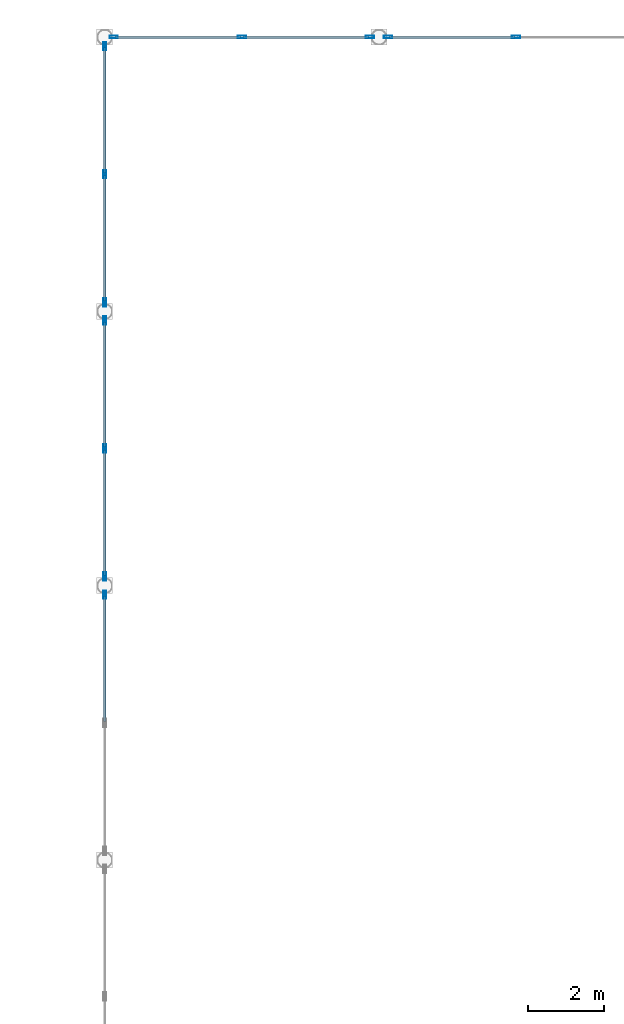
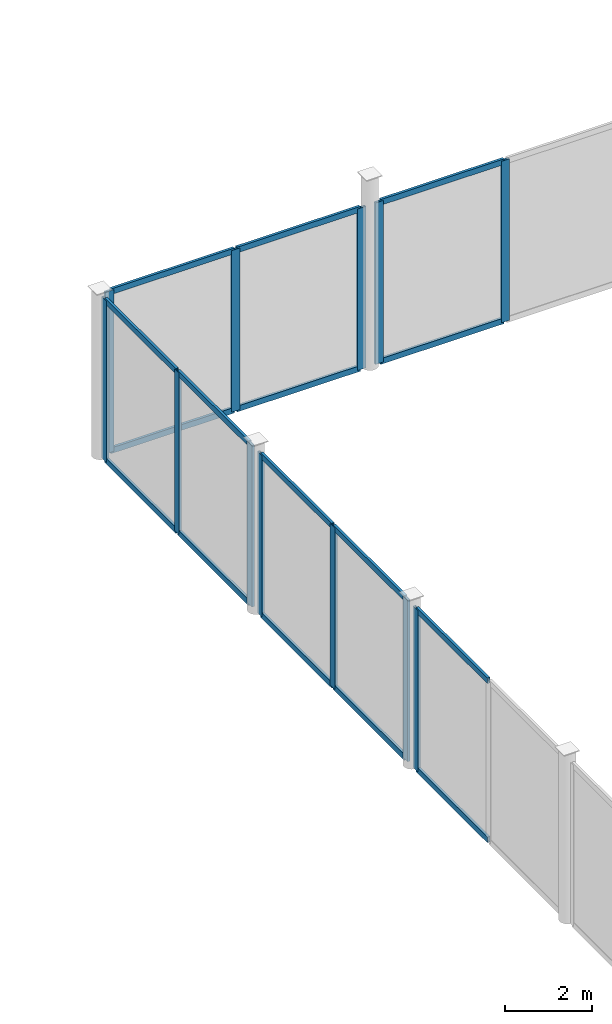
# One storey, part 61 of 120: 28 members, 5 elements without a shape of their own.
"""IFC4 building model written with IfcOpenShell, lengths in metres."""

from ifc_helpers import new_model, si_unit, direction, frame, origin, origin_2d, place, context, subcontext, project, spatial, hollow_rectangle, extrude, material, material_profile, profile_set, type_object, element, aggregate, save


model = new_model("IFC4")

# Units and contexts
model_context = context("Model", 3, precision=1e-05, world=origin(), true_north=direction((0.0, 1.0)))
body_context = subcontext(model_context, "Body", "Model", "MODEL_VIEW")
ifc_project = project(units=[si_unit("LENGTHUNIT", "METRE"), si_unit("AREAUNIT", "SQUARE_METRE"), si_unit("VOLUMEUNIT", "CUBIC_METRE"), si_unit("PLANEANGLEUNIT", "RADIAN"), si_unit("MASSUNIT", "GRAM", prefix="KILO")], contexts=[model_context])

# Site, building, storey
site_placement = place(None, origin())
site = spatial("IfcSite", under=ifc_project, at=site_placement, CompositionType="ELEMENT")
building_placement = place(site_placement, origin())
building = spatial("IfcBuilding", under=site, at=building_placement, Name="Vesperath Aquatics Centre", CompositionType="ELEMENT")
storey_placement = place(building_placement, frame((0.0, 0.0, 10.199951171875)))
storey = spatial("IfcBuildingStorey", under=building, at=storey_placement, Name="L02", CompositionType="ELEMENT", Elevation=10.199951171875)

# Curtain wall, members
ifc_material_1 = material(Name="Thermally broken anodised bronze aluminium curtain wall", Category="aluminium")
curtain_wall_type = type_object("IfcCurtainWallType", Name="CW-06", PredefinedType="NOTDEFINED", material=ifc_material_1)
curtain_wall_1_placement = place(storey_placement, origin())
curtain_wall_1 = element("IfcCurtainWall", 1, at=curtain_wall_1_placement, inside=storey, type_object=curtain_wall_type, Name="Facade Curtain Wall CW06 L02_N_16_16", PredefinedType="NOTDEFINED")
ifc_material_2 = material(Name="Thermally broken anodised aluminium", Category="aluminium")
ifc_material_profile_1 = material_profile(ifc_material_2, hollow_rectangle(XDim=0.070068359375, YDim=0.219970703125, WallThickness=0.0048828125, at=origin_2d()), Name="CWM 70x220x5")
ifc_profile_set_1 = profile_set([ifc_material_profile_1], Name="Thermally broken anodised aluminium")
member_type_1 = type_object("IfcMemberType", Name="MB-CWM2", PredefinedType="MULLION", material=ifc_profile_set_1)
member_1_placement = place(storey_placement, frame((115.438232421875, 115.199951171875, 0.0), z_axis=(0.0, 0.0, 1.0), x_axis=(0.0, 1.0, 0.0)))
member_1 = element("IfcMember", 2, at=member_1_placement, type_object=member_type_1, Name="CW06 mullion 1", PredefinedType="MULLION", context=body_context, shape_type="SweptSolid", body=[
    extrude(hollow_rectangle(XDim=0.070068359375, YDim=0.219970703125, WallThickness=0.0048828125, at=origin_2d()), origin(), (0.0, 0.0, 1.0), 4.56005859375),
])
member_2_placement = place(storey_placement, frame((118.800048828125, 115.199951171875, 0.0), z_axis=(0.0, 0.0, 1.0), x_axis=(0.0, 1.0, 0.0)))
member_2 = element("IfcMember", 3, at=member_2_placement, type_object=member_type_1, Name="CW06 mullion 2", PredefinedType="MULLION", context=body_context, shape_type="SweptSolid", body=[
    extrude(hollow_rectangle(XDim=0.070068359375, YDim=0.219970703125, WallThickness=0.0048828125, at=origin_2d()), origin(), (0.0, 0.0, 1.0), 4.56005859375),
])
member_3_placement = place(storey_placement, frame((122.161865234375, 115.199951171875, 0.0), z_axis=(0.0, 0.0, 1.0), x_axis=(0.0, 1.0, 0.0)))
member_3 = element("IfcMember", 4, at=member_3_placement, type_object=member_type_1, Name="CW06 mullion 3", PredefinedType="MULLION", context=body_context, shape_type="SweptSolid", body=[
    extrude(hollow_rectangle(XDim=0.070068359375, YDim=0.219970703125, WallThickness=0.0048828125, at=origin_2d()), origin(), (0.0, 0.0, 1.0), 4.56005859375),
])

curtain_wall_2_placement = place(storey_placement, origin())
curtain_wall_2 = element("IfcCurtainWall", 5, at=curtain_wall_2_placement, inside=storey, type_object=curtain_wall_type, Name="Facade Curtain Wall CW06 L02_N_17_16", PredefinedType="NOTDEFINED")
member_4_placement = place(storey_placement, frame((122.63818359375, 115.199951171875, 0.0), z_axis=(0.0, 0.0, 1.0), x_axis=(0.0, 1.0, 0.0)))
member_4 = element("IfcMember", 6, at=member_4_placement, type_object=member_type_1, Name="CW06 mullion 1", PredefinedType="MULLION", context=body_context, shape_type="SweptSolid", body=[
    extrude(hollow_rectangle(XDim=0.070068359375, YDim=0.219970703125, WallThickness=0.0048828125, at=origin_2d()), origin(), (0.0, 0.0, 1.0), 4.56005859375),
])
member_5_placement = place(storey_placement, frame((126.0, 115.199951171875, 0.0), z_axis=(0.0, 0.0, 1.0), x_axis=(0.0, 1.0, 0.0)))
member_5 = element("IfcMember", 7, at=member_5_placement, type_object=member_type_1, Name="CW06 mullion 2", PredefinedType="MULLION", context=body_context, shape_type="SweptSolid", body=[
    extrude(hollow_rectangle(XDim=0.070068359375, YDim=0.219970703125, WallThickness=0.0048828125, at=origin_2d()), origin(), (0.0, 0.0, 1.0), 4.56005859375),
])

# Curtain wall, member
curtain_wall_3_placement = place(storey_placement, origin())
curtain_wall_3 = element("IfcCurtainWall", 8, at=curtain_wall_3_placement, inside=storey, type_object=curtain_wall_type, Name="Facade Curtain Wall CW06 L02_W_16_13", PredefinedType="NOTDEFINED")
member_6_placement = place(storey_placement, frame((115.199951171875, 100.561767578125, 0.0), z_axis=(0.0, 0.0, 1.0), x_axis=(-1.0, 0.0, 0.0)))
member_6 = element("IfcMember", 9, at=member_6_placement, type_object=member_type_1, Name="CW06 mullion 3", PredefinedType="MULLION", context=body_context, shape_type="SweptSolid", body=[
    extrude(hollow_rectangle(XDim=0.070068359375, YDim=0.219970703125, WallThickness=0.0048828125, at=origin_2d()), origin(), (0.0, 0.0, 1.0), 4.56005859375),
])

# Curtain wall, members
curtain_wall_4_placement = place(storey_placement, origin())
curtain_wall_4 = element("IfcCurtainWall", 10, at=curtain_wall_4_placement, inside=storey, type_object=curtain_wall_type, Name="Facade Curtain Wall CW06 L02_W_16_14", PredefinedType="NOTDEFINED")
member_7_placement = place(storey_placement, frame((115.199951171875, 101.0380859375, 0.0), z_axis=(0.0, 0.0, 1.0), x_axis=(-1.0, 0.0, 0.0)))
member_7 = element("IfcMember", 11, at=member_7_placement, type_object=member_type_1, Name="CW06 mullion 1", PredefinedType="MULLION", context=body_context, shape_type="SweptSolid", body=[
    extrude(hollow_rectangle(XDim=0.070068359375, YDim=0.219970703125, WallThickness=0.0048828125, at=origin_2d()), origin(), (0.0, 0.0, 1.0), 4.56005859375),
])
member_8_placement = place(storey_placement, frame((115.199951171875, 104.39990234375, 0.0), z_axis=(0.0, 0.0, 1.0), x_axis=(-1.0, 0.0, 0.0)))
member_8 = element("IfcMember", 12, at=member_8_placement, type_object=member_type_1, Name="CW06 mullion 2", PredefinedType="MULLION", context=body_context, shape_type="SweptSolid", body=[
    extrude(hollow_rectangle(XDim=0.070068359375, YDim=0.219970703125, WallThickness=0.0048828125, at=origin_2d()), origin(), (0.0, 0.0, 1.0), 4.56005859375),
])
member_9_placement = place(storey_placement, frame((115.199951171875, 107.76171875, 0.0), z_axis=(0.0, 0.0, 1.0), x_axis=(-1.0, 0.0, 0.0)))
member_9 = element("IfcMember", 13, at=member_9_placement, type_object=member_type_1, Name="CW06 mullion 3", PredefinedType="MULLION", context=body_context, shape_type="SweptSolid", body=[
    extrude(hollow_rectangle(XDim=0.070068359375, YDim=0.219970703125, WallThickness=0.0048828125, at=origin_2d()), origin(), (0.0, 0.0, 1.0), 4.56005859375),
])

curtain_wall_5_placement = place(storey_placement, origin())
curtain_wall_5 = element("IfcCurtainWall", 14, at=curtain_wall_5_placement, inside=storey, type_object=curtain_wall_type, Name="Facade Curtain Wall CW06 L02_W_16_15", PredefinedType="NOTDEFINED")
member_10_placement = place(storey_placement, frame((115.199951171875, 108.23828125, 0.0), z_axis=(0.0, 0.0, 1.0), x_axis=(-1.0, 0.0, 0.0)))
member_10 = element("IfcMember", 15, at=member_10_placement, type_object=member_type_1, Name="CW06 mullion 1", PredefinedType="MULLION", context=body_context, shape_type="SweptSolid", body=[
    extrude(hollow_rectangle(XDim=0.070068359375, YDim=0.219970703125, WallThickness=0.0048828125, at=origin_2d()), origin(), (0.0, 0.0, 1.0), 4.56005859375),
])
member_11_placement = place(storey_placement, frame((115.199951171875, 111.60009765625, 0.0), z_axis=(0.0, 0.0, 1.0), x_axis=(-1.0, 0.0, 0.0)))
member_11 = element("IfcMember", 16, at=member_11_placement, type_object=member_type_1, Name="CW06 mullion 2", PredefinedType="MULLION", context=body_context, shape_type="SweptSolid", body=[
    extrude(hollow_rectangle(XDim=0.070068359375, YDim=0.219970703125, WallThickness=0.0048828125, at=origin_2d()), origin(), (0.0, 0.0, 1.0), 4.56005859375),
])
member_12_placement = place(storey_placement, frame((115.199951171875, 114.9619140625, 0.0), z_axis=(0.0, 0.0, 1.0), x_axis=(-1.0, 0.0, 0.0)))
member_12 = element("IfcMember", 17, at=member_12_placement, type_object=member_type_1, Name="CW06 mullion 3", PredefinedType="MULLION", context=body_context, shape_type="SweptSolid", body=[
    extrude(hollow_rectangle(XDim=0.070068359375, YDim=0.219970703125, WallThickness=0.0048828125, at=origin_2d()), origin(), (0.0, 0.0, 1.0), 4.56005859375),
])

# Member
ifc_material_profile_2 = material_profile(ifc_material_2, hollow_rectangle(XDim=0.070068359375, YDim=0.159912109375, WallThickness=0.0048828125, at=origin_2d()), Name="CWT 70x160x5")
ifc_profile_set_2 = profile_set([ifc_material_profile_2], Name="Thermally broken anodised aluminium")
member_type_2 = type_object("IfcMemberType", Name="MB-CWT2", PredefinedType="USERDEFINED", material=ifc_profile_set_2)
member_13_placement = place(storey_placement, frame((115.47314453125, 115.199951171875, 0.03515625), z_axis=(1.0, 0.0, 0.0), x_axis=(0.0, 1.0, 0.0)))
member_13 = element("IfcMember", 18, at=member_13_placement, type_object=member_type_2, Name="CW06 transom 1.1", ObjectType="TRANSOM", PredefinedType="USERDEFINED", context=body_context, shape_type="SweptSolid", body=[
    extrude(hollow_rectangle(XDim=0.070068359375, YDim=0.159912109375, WallThickness=0.0048828125, at=origin_2d()), origin(), (0.0, 0.0, 1.0), 3.291748046875),
])

member_14_placement = place(storey_placement, frame((115.47314453125, 115.199951171875, 4.525146484375), z_axis=(1.0, 0.0, 0.0), x_axis=(0.0, 1.0, 0.0)))
member_14 = element("IfcMember", 19, at=member_14_placement, type_object=member_type_2, Name="CW06 transom 1.2", ObjectType="TRANSOM", PredefinedType="USERDEFINED", context=body_context, shape_type="SweptSolid", body=[
    extrude(hollow_rectangle(XDim=0.070068359375, YDim=0.159912109375, WallThickness=0.0048828125, at=origin_2d()), origin(), (0.0, 0.0, 1.0), 3.291748046875),
])

member_15_placement = place(storey_placement, frame((118.8349609375, 115.199951171875, 0.03515625), z_axis=(1.0, 0.0, 0.0), x_axis=(0.0, 1.0, 0.0)))
member_15 = element("IfcMember", 20, at=member_15_placement, type_object=member_type_2, Name="CW06 transom 2.1", ObjectType="TRANSOM", PredefinedType="USERDEFINED", context=body_context, shape_type="SweptSolid", body=[
    extrude(hollow_rectangle(XDim=0.070068359375, YDim=0.159912109375, WallThickness=0.0048828125, at=origin_2d()), origin(), (0.0, 0.0, 1.0), 3.291748046875),
])

member_16_placement = place(storey_placement, frame((118.8349609375, 115.199951171875, 4.525146484375), z_axis=(1.0, 0.0, 0.0), x_axis=(0.0, 1.0, 0.0)))
member_16 = element("IfcMember", 21, at=member_16_placement, type_object=member_type_2, Name="CW06 transom 2.2", ObjectType="TRANSOM", PredefinedType="USERDEFINED", context=body_context, shape_type="SweptSolid", body=[
    extrude(hollow_rectangle(XDim=0.070068359375, YDim=0.159912109375, WallThickness=0.0048828125, at=origin_2d()), origin(), (0.0, 0.0, 1.0), 3.291748046875),
])

aggregate(curtain_wall_1, [member_1, member_2, member_3, member_13, member_14, member_15, member_16])

member_17_placement = place(storey_placement, frame((122.673095703125, 115.199951171875, 0.03515625), z_axis=(1.0, 0.0, 0.0), x_axis=(0.0, 1.0, 0.0)))
member_17 = element("IfcMember", 22, at=member_17_placement, type_object=member_type_2, Name="CW06 transom 1.1", ObjectType="TRANSOM", PredefinedType="USERDEFINED", context=body_context, shape_type="SweptSolid", body=[
    extrude(hollow_rectangle(XDim=0.070068359375, YDim=0.159912109375, WallThickness=0.0048828125, at=origin_2d()), origin(), (0.0, 0.0, 1.0), 3.2919921875),
])

member_18_placement = place(storey_placement, frame((122.673095703125, 115.199951171875, 4.525146484375), z_axis=(1.0, 0.0, 0.0), x_axis=(0.0, 1.0, 0.0)))
member_18 = element("IfcMember", 23, at=member_18_placement, type_object=member_type_2, Name="CW06 transom 1.2", ObjectType="TRANSOM", PredefinedType="USERDEFINED", context=body_context, shape_type="SweptSolid", body=[
    extrude(hollow_rectangle(XDim=0.070068359375, YDim=0.159912109375, WallThickness=0.0048828125, at=origin_2d()), origin(), (0.0, 0.0, 1.0), 3.2919921875),
])

aggregate(curtain_wall_2, [member_4, member_5, member_17, member_18])

member_19_placement = place(storey_placement, frame((115.199951171875, 97.235107421875, 0.03515625), z_axis=(0.0, 1.0, 0.0), x_axis=(-1.0, 0.0, 0.0)))
member_19 = element("IfcMember", 24, at=member_19_placement, type_object=member_type_2, Name="CW06 transom 2.1", ObjectType="TRANSOM", PredefinedType="USERDEFINED", context=body_context, shape_type="SweptSolid", body=[
    extrude(hollow_rectangle(XDim=0.070068359375, YDim=0.159912109375, WallThickness=0.0048828125, at=origin_2d()), origin(), (0.0, 0.0, 1.0), 3.291748046875),
])

member_20_placement = place(storey_placement, frame((115.199951171875, 97.235107421875, 4.525146484375), z_axis=(0.0, 1.0, 0.0), x_axis=(-1.0, 0.0, 0.0)))
member_20 = element("IfcMember", 25, at=member_20_placement, type_object=member_type_2, Name="CW06 transom 2.2", ObjectType="TRANSOM", PredefinedType="USERDEFINED", context=body_context, shape_type="SweptSolid", body=[
    extrude(hollow_rectangle(XDim=0.070068359375, YDim=0.159912109375, WallThickness=0.0048828125, at=origin_2d()), origin(), (0.0, 0.0, 1.0), 3.291748046875),
])

aggregate(curtain_wall_3, [member_6, member_19, member_20])

member_21_placement = place(storey_placement, frame((115.199951171875, 101.0732421875, 0.03515625), z_axis=(0.0, 1.0, 0.0), x_axis=(-1.0, 0.0, 0.0)))
member_21 = element("IfcMember", 26, at=member_21_placement, type_object=member_type_2, Name="CW06 transom 1.1", ObjectType="TRANSOM", PredefinedType="USERDEFINED", context=body_context, shape_type="SweptSolid", body=[
    extrude(hollow_rectangle(XDim=0.070068359375, YDim=0.159912109375, WallThickness=0.0048828125, at=origin_2d()), origin(), (0.0, 0.0, 1.0), 3.291748046875),
])

member_22_placement = place(storey_placement, frame((115.199951171875, 101.0732421875, 4.525146484375), z_axis=(0.0, 1.0, 0.0), x_axis=(-1.0, 0.0, 0.0)))
member_22 = element("IfcMember", 27, at=member_22_placement, type_object=member_type_2, Name="CW06 transom 1.2", ObjectType="TRANSOM", PredefinedType="USERDEFINED", context=body_context, shape_type="SweptSolid", body=[
    extrude(hollow_rectangle(XDim=0.070068359375, YDim=0.159912109375, WallThickness=0.0048828125, at=origin_2d()), origin(), (0.0, 0.0, 1.0), 3.291748046875),
])

member_23_placement = place(storey_placement, frame((115.199951171875, 104.43505859375, 0.03515625), z_axis=(0.0, 1.0, 0.0), x_axis=(-1.0, 0.0, 0.0)))
member_23 = element("IfcMember", 28, at=member_23_placement, type_object=member_type_2, Name="CW06 transom 2.1", ObjectType="TRANSOM", PredefinedType="USERDEFINED", context=body_context, shape_type="SweptSolid", body=[
    extrude(hollow_rectangle(XDim=0.070068359375, YDim=0.159912109375, WallThickness=0.0048828125, at=origin_2d()), origin(), (0.0, 0.0, 1.0), 3.291748046875),
])

member_24_placement = place(storey_placement, frame((115.199951171875, 104.43505859375, 4.525146484375), z_axis=(0.0, 1.0, 0.0), x_axis=(-1.0, 0.0, 0.0)))
member_24 = element("IfcMember", 29, at=member_24_placement, type_object=member_type_2, Name="CW06 transom 2.2", ObjectType="TRANSOM", PredefinedType="USERDEFINED", context=body_context, shape_type="SweptSolid", body=[
    extrude(hollow_rectangle(XDim=0.070068359375, YDim=0.159912109375, WallThickness=0.0048828125, at=origin_2d()), origin(), (0.0, 0.0, 1.0), 3.291748046875),
])

aggregate(curtain_wall_4, [member_7, member_8, member_9, member_21, member_22, member_23, member_24])

member_25_placement = place(storey_placement, frame((115.199951171875, 108.273193359375, 0.03515625), z_axis=(0.0, 1.0, 0.0), x_axis=(-1.0, 0.0, 0.0)))
member_25 = element("IfcMember", 30, at=member_25_placement, type_object=member_type_2, Name="CW06 transom 1.1", ObjectType="TRANSOM", PredefinedType="USERDEFINED", context=body_context, shape_type="SweptSolid", body=[
    extrude(hollow_rectangle(XDim=0.070068359375, YDim=0.159912109375, WallThickness=0.0048828125, at=origin_2d()), origin(), (0.0, 0.0, 1.0), 3.291748046875),
])

member_26_placement = place(storey_placement, frame((115.199951171875, 108.273193359375, 4.525146484375), z_axis=(0.0, 1.0, 0.0), x_axis=(-1.0, 0.0, 0.0)))
member_26 = element("IfcMember", 31, at=member_26_placement, type_object=member_type_2, Name="CW06 transom 1.2", ObjectType="TRANSOM", PredefinedType="USERDEFINED", context=body_context, shape_type="SweptSolid", body=[
    extrude(hollow_rectangle(XDim=0.070068359375, YDim=0.159912109375, WallThickness=0.0048828125, at=origin_2d()), origin(), (0.0, 0.0, 1.0), 3.291748046875),
])

member_27_placement = place(storey_placement, frame((115.199951171875, 111.635009765625, 0.03515625), z_axis=(0.0, 1.0, 0.0), x_axis=(-1.0, 0.0, 0.0)))
member_27 = element("IfcMember", 32, at=member_27_placement, type_object=member_type_2, Name="CW06 transom 2.1", ObjectType="TRANSOM", PredefinedType="USERDEFINED", context=body_context, shape_type="SweptSolid", body=[
    extrude(hollow_rectangle(XDim=0.070068359375, YDim=0.159912109375, WallThickness=0.0048828125, at=origin_2d()), origin(), (0.0, 0.0, 1.0), 3.291748046875),
])

member_28_placement = place(storey_placement, frame((115.199951171875, 111.635009765625, 4.525146484375), z_axis=(0.0, 1.0, 0.0), x_axis=(-1.0, 0.0, 0.0)))
member_28 = element("IfcMember", 33, at=member_28_placement, type_object=member_type_2, Name="CW06 transom 2.2", ObjectType="TRANSOM", PredefinedType="USERDEFINED", context=body_context, shape_type="SweptSolid", body=[
    extrude(hollow_rectangle(XDim=0.070068359375, YDim=0.159912109375, WallThickness=0.0048828125, at=origin_2d()), origin(), (0.0, 0.0, 1.0), 3.291748046875),
])

aggregate(curtain_wall_5, [member_10, member_11, member_12, member_25, member_26, member_27, member_28])

save(model, "model.ifc")
